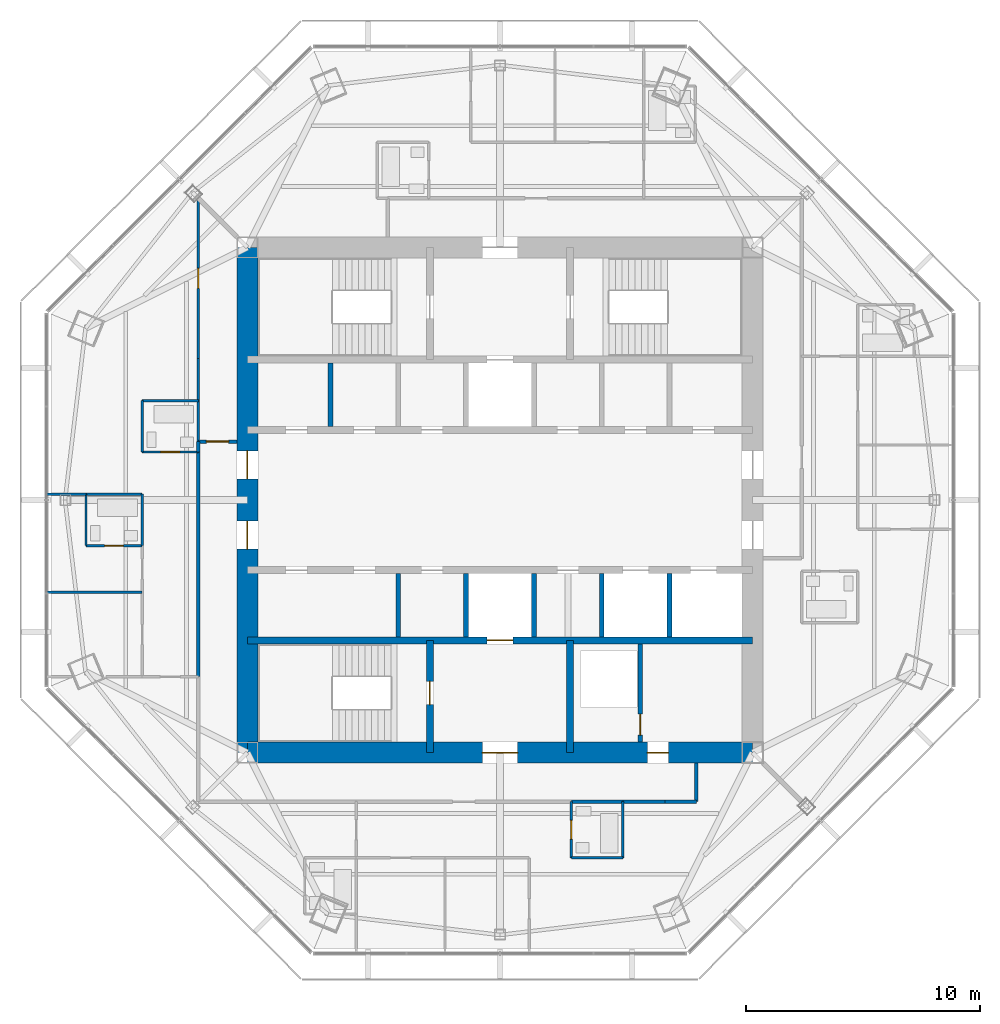
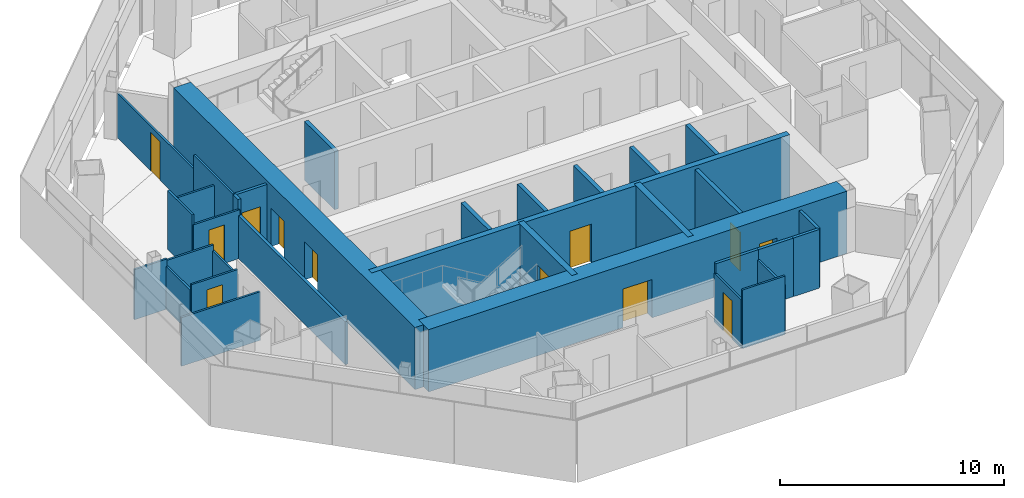
# One storey, part 9 of 15: 33 walls, 12 doors, 12 openings.
"""IFC4 building model written with IfcOpenShell, lengths in metres."""

from ifc_helpers import new_model, si_unit, direction, frame, frame_2d, origin, place, context, subcontext, project, spatial, rectangle, extrude, material, layer, layer_set, type_object, element, fill, save


model = new_model("IFC4")

# Units and contexts
model_context = context("Model", 3, precision=1e-05, world=origin(), true_north=direction((0.0, 1.0)))
body_context = subcontext(model_context, "Body", "Model", "MODEL_VIEW")
ifc_project = project(units=[si_unit("LENGTHUNIT", "METRE"), si_unit("AREAUNIT", "SQUARE_METRE"), si_unit("VOLUMEUNIT", "CUBIC_METRE"), si_unit("PLANEANGLEUNIT", "RADIAN"), si_unit("MASSUNIT", "GRAM", prefix="KILO")], contexts=[model_context])

# Site, building, storey
site_placement = place(None, origin())
site = spatial("IfcSite", under=ifc_project, at=site_placement, CompositionType="ELEMENT")
building_placement = place(site_placement, origin())
building = spatial("IfcBuilding", under=site, at=building_placement, Name="Mashrafa Tower", CompositionType="ELEMENT")
storey_placement = place(building_placement, frame((0.0, 0.0, 304.800048828125)))
storey = spatial("IfcBuildingStorey", under=building, at=storey_placement, Name="L75", CompositionType="ELEMENT", Elevation=304.800048828125)

# Wall, opening, door
ifc_material_1 = material(Name="Concrete masonry unit", Category="masonry")
ifc_layer_1 = layer(ifc_material_1, 0.199951171875)
ifc_layer_set_1 = layer_set([ifc_layer_1], Name="Blockwork wall 200 2 hr")
wall_type_1 = type_object("IfcWallType", Name="Blockwork wall 200 2 hr", PredefinedType="PARTITIONING", material=ifc_layer_set_1)
wall_1_placement = place(storey_placement, frame((6.0, -10.35009765625, 0.0), z_axis=(0.0, 0.0, 1.0), x_axis=(0.0, 1.0, 0.0)))
wall_1 = element("IfcWall", 1, at=wall_1_placement, inside=storey, type_object=wall_type_1, Name="Riser enclosure wall L75", PredefinedType="PARTITIONING", context=body_context, shape_type="SweptSolid", body=[
    extrude(rectangle(XDim=4.2001953125, YDim=0.199951171875, at=frame_2d((2.10009765625, 0.0))), origin(), (0.0, 0.0, 1.0), 3.199951171875),
])
opening_1_placement = place(wall_1_placement, frame((0.300048828125, 0.0, 0.0)))
opening_1 = element("IfcOpeningElement", 2, at=opening_1_placement, cuts=wall_1, Name="Opening 75.036", PredefinedType="OPENING", context=body_context, shape_type="SweptSolid", body=[
    extrude(rectangle(XDim=0.89990234375, YDim=2.10009765625, at=frame_2d((0.449951171875, 1.050048828125))), frame((0.0, 0.10986328125, 0.0), z_axis=(0.0, -1.0, 0.0), x_axis=(1.0, 0.0, 0.0)), (0.0, 0.0, 1.0), 0.219970703125),
])
ifc_material_2 = material(Name="Steel door", Category="steel")
door_type_1 = type_object("IfcDoorType", Name="Service door 900 x 2100 90 min", OperationType="USERDEFINED", PredefinedType="DOOR", material=ifc_material_2)
door_1_placement = place(opening_1_placement, origin())
door_1 = element("IfcDoor", 3, at=door_1_placement, inside=storey, type_object=door_type_1, Name="Riser door L75", OperationType="SINGLE_SWING_LEFT", OverallHeight=2.10009765625, OverallWidth=0.89990234375, PredefinedType="DOOR", context=body_context, shape_type="SweptSolid", body=[
    extrude(rectangle(XDim=0.89990234375, YDim=2.10009765625, at=frame_2d((0.449951171875, 1.050048828125))), frame((0.0, 0.02490234375, 0.0), z_axis=(0.0, -1.0, 0.0), x_axis=(1.0, 0.0, 0.0)), (0.0, 0.0, 1.0), 0.050048828125),
])
fill(opening_1, door_1)

ifc_material_3 = material(Name="Concrete C50/60", Category="concrete")
ifc_layer_2 = layer(ifc_material_3, 0.300048828125)
ifc_layer_set_2 = layer_set([ifc_layer_2], Name="Core wall 300 C50/60")
wall_type_2 = type_object("IfcWallType", Name="Core wall 300 C50/60", PredefinedType="SOLIDWALL", material=ifc_layer_set_2)
wall_2_placement = place(storey_placement, frame((-10.800048828125, -6.0, 0.0), z_axis=(0.0, 0.0, 1.0), x_axis=(1.0, 0.0, 0.0)))
wall_2 = element("IfcWall", 4, at=wall_2_placement, inside=storey, type_object=wall_type_2, Name="Core wall CB-S L75", PredefinedType="SOLIDWALL", context=body_context, shape_type="SweptSolid", body=[
    extrude(rectangle(XDim=21.60009765625, YDim=0.300048828125, at=frame_2d((10.800048828125, 0.0))), origin(), (0.0, 0.0, 1.0), 3.39990234375),
])
opening_2_placement = place(wall_2_placement, frame((10.25, 0.0, 0.0)))
opening_2 = element("IfcOpeningElement", 5, at=opening_2_placement, cuts=wall_2, Name="Opening 75.F2", PredefinedType="OPENING", context=body_context, shape_type="SweptSolid", body=[
    extrude(rectangle(XDim=1.10009765625, YDim=2.10009765625, at=frame_2d((0.550048828125, 1.050048828125))), frame((0.0, 0.159912109375, 0.0), z_axis=(0.0, -1.0, 0.0), x_axis=(1.0, 0.0, 0.0)), (0.0, 0.0, 1.0), 0.320068359375),
])
ifc_material_4 = material(Name="Steel door", Category="steel")
door_type_2 = type_object("IfcDoorType", Name="Lift landing door 1100 x 2100 90 min", OperationType="DOUBLE_DOOR_SLIDING", PredefinedType="DOOR", material=ifc_material_4)
door_2_placement = place(opening_2_placement, origin())
door_2 = element("IfcDoor", 6, at=door_2_placement, inside=storey, type_object=door_type_2, Name="Lift landing door F2 L75", OperationType="DOUBLE_DOOR_SLIDING", OverallHeight=2.10009765625, OverallWidth=1.10009765625, PredefinedType="DOOR", context=body_context, shape_type="SweptSolid", body=[
    extrude(rectangle(XDim=1.10009765625, YDim=2.10009765625, at=frame_2d((0.550048828125, 1.050048828125))), frame((0.0, 0.02490234375, 0.0), z_axis=(0.0, -1.0, 0.0), x_axis=(1.0, 0.0, 0.0)), (0.0, 0.0, 1.0), 0.050048828125),
])
fill(opening_2, door_2)

wall_3_placement = place(storey_placement, frame((-3.0, -6.0, 0.0), z_axis=(0.0, 0.0, 1.0), x_axis=(0.0, -1.0, 0.0)))
wall_3 = element("IfcWall", 7, at=wall_3_placement, inside=storey, type_object=wall_type_2, Name="Core wall CX-SW L75", PredefinedType="SOLIDWALL", context=body_context, shape_type="SweptSolid", body=[
    extrude(rectangle(XDim=4.800048828125, YDim=0.300048828125, at=frame_2d((2.39990234375, 0.0))), origin(), (0.0, 0.0, 1.0), 3.39990234375),
])
opening_3_placement = place(wall_3_placement, frame((1.75, 0.0, 0.0)))
opening_3 = element("IfcOpeningElement", 8, at=opening_3_placement, cuts=wall_3, Name="Opening 75.034", PredefinedType="OPENING", context=body_context, shape_type="SweptSolid", body=[
    extrude(rectangle(XDim=1.0, YDim=2.10009765625, at=frame_2d((0.5, 1.050048828125))), frame((0.0, 0.159912109375, 0.0), z_axis=(0.0, -1.0, 0.0), x_axis=(1.0, 0.0, 0.0)), (0.0, 0.0, 1.0), 0.320068359375),
])
ifc_material_5 = material(Name="Steel door", Category="steel")
door_type_3 = type_object("IfcDoorType", Name="Stair door 1000 x 2100 90 min", OperationType="USERDEFINED", PredefinedType="DOOR", material=ifc_material_5)
door_3_placement = place(opening_3_placement, frame((1.0, 0.0, 0.0), z_axis=(0.0, 0.0, 1.0), x_axis=(-1.0, 0.0, 0.0)))
door_3 = element("IfcDoor", 9, at=door_3_placement, inside=storey, type_object=door_type_3, Name="Stair S3 door L75", OperationType="SINGLE_SWING_RIGHT", OverallHeight=2.10009765625, OverallWidth=1.0, PredefinedType="DOOR", context=body_context, shape_type="SweptSolid", body=[
    extrude(rectangle(XDim=1.0, YDim=2.10009765625, at=frame_2d((0.5, 1.050048828125))), frame((0.0, 0.02490234375, 0.0), z_axis=(0.0, -1.0, 0.0), x_axis=(1.0, 0.0, 0.0)), (0.0, 0.0, 1.0), 0.050048828125),
])
fill(opening_3, door_3)

# Wall
wall_4_placement = place(storey_placement, frame((3.0, -6.0, 0.0), z_axis=(0.0, 0.0, 1.0), x_axis=(0.0, -1.0, 0.0)))
element("IfcWall", 10, at=wall_4_placement, inside=storey, type_object=wall_type_2, Name="Core wall CX-SE L75", PredefinedType="SOLIDWALL", context=body_context, shape_type="SweptSolid", body=[
    extrude(rectangle(XDim=4.800048828125, YDim=0.300048828125, at=frame_2d((2.39990234375, 0.0))), origin(), (0.0, 0.0, 1.0), 3.39990234375),
])

# Wall, openings, doors
ifc_material_6 = material(Name="Concrete C50/60", Category="concrete")
ifc_layer_3 = layer(ifc_material_6, 0.89990234375)
ifc_layer_set_3 = layer_set([ifc_layer_3], Name="Core wall 900 C50/60")
wall_type_3 = type_object("IfcWallType", Name="Core wall 900 C50/60", PredefinedType="SOLIDWALL", material=ifc_layer_set_3)
wall_5_placement = place(storey_placement, frame((-10.800048828125, -10.800048828125, 0.0), z_axis=(0.0, 0.0, 1.0), x_axis=(1.0, 0.0, 0.0)))
wall_5 = element("IfcWall", 11, at=wall_5_placement, inside=storey, type_object=wall_type_3, Name="Core wall CW-S L75", PredefinedType="SOLIDWALL", context=body_context, shape_type="SweptSolid", body=[
    extrude(rectangle(XDim=21.60009765625, YDim=0.89990234375, at=frame_2d((10.800048828125, 0.0))), origin(), (0.0, 0.0, 1.0), 3.39990234375),
])
opening_4_placement = place(wall_5_placement, frame((10.050048828125, 0.0, 0.0)))
opening_4 = element("IfcOpeningElement", 12, at=opening_4_placement, cuts=wall_5, Name="Opening 75.031", PredefinedType="OPENING", context=body_context, shape_type="SweptSolid", body=[
    extrude(rectangle(XDim=1.5, YDim=2.10009765625, at=frame_2d((0.75, 1.050048828125))), frame((0.0, 0.4599609375, 0.0), z_axis=(0.0, -1.0, 0.0), x_axis=(1.0, 0.0, 0.0)), (0.0, 0.0, 1.0), 0.919921875),
])
opening_5_placement = place(wall_5_placement, frame((17.10009765625, 0.0, 0.0)))
opening_5 = element("IfcOpeningElement", 13, at=opening_5_placement, cuts=wall_5, Name="Opening 75.035", PredefinedType="OPENING", context=body_context, shape_type="SweptSolid", body=[
    extrude(rectangle(XDim=0.89990234375, YDim=2.10009765625, at=frame_2d((0.449951171875, 1.050048828125))), frame((0.0, 0.4599609375, 0.0), z_axis=(0.0, -1.0, 0.0), x_axis=(1.0, 0.0, 0.0)), (0.0, 0.0, 1.0), 0.919921875),
])
ifc_material_7 = material(Name="Steel door", Category="steel")
door_type_4 = type_object("IfcDoorType", Name="Lobby door pair 1500 x 2100 90 min", OperationType="DOUBLE_DOOR_SINGLE_SWING", PredefinedType="DOOR", material=ifc_material_7)
door_4_placement = place(opening_4_placement, origin())
door_4 = element("IfcDoor", 14, at=door_4_placement, inside=storey, type_object=door_type_4, Name="Fire-fighting lobby F2 door L75", OperationType="DOUBLE_DOOR_SINGLE_SWING", OverallHeight=2.10009765625, OverallWidth=1.5, PredefinedType="DOOR", context=body_context, shape_type="SweptSolid", body=[
    extrude(rectangle(XDim=1.5, YDim=2.10009765625, at=frame_2d((0.75, 1.050048828125))), frame((0.0, 0.02490234375, 0.0), z_axis=(0.0, -1.0, 0.0), x_axis=(1.0, 0.0, 0.0)), (0.0, 0.0, 1.0), 0.050048828125),
])
fill(opening_4, door_4)
door_5_placement = place(opening_5_placement, origin())
door_5 = element("IfcDoor", 15, at=door_5_placement, inside=storey, type_object=door_type_1, Name="Communications Room L75 door", OperationType="SINGLE_SWING_LEFT", OverallHeight=2.10009765625, OverallWidth=0.89990234375, PredefinedType="DOOR", context=body_context, shape_type="SweptSolid", body=[
    extrude(rectangle(XDim=0.89990234375, YDim=2.10009765625, at=frame_2d((0.449951171875, 1.050048828125))), frame((0.0, 0.02490234375, 0.0), z_axis=(0.0, -1.0, 0.0), x_axis=(1.0, 0.0, 0.0)), (0.0, 0.0, 1.0), 0.050048828125),
])
fill(opening_5, door_5)

wall_6_placement = place(storey_placement, frame((-10.800048828125, 10.800048828125, 0.0), z_axis=(0.0, 0.0, 1.0), x_axis=(0.0, -1.0, 0.0)))
wall_6 = element("IfcWall", 16, at=wall_6_placement, inside=storey, type_object=wall_type_3, Name="Core wall CW-W L75", PredefinedType="SOLIDWALL", context=body_context, shape_type="SweptSolid", body=[
    extrude(rectangle(XDim=21.60009765625, YDim=0.89990234375, at=frame_2d((10.800048828125, 0.0))), origin(), (0.0, 0.0, 1.0), 3.39990234375),
])
opening_6_placement = place(wall_6_placement, frame((8.699951171875, 0.0, 0.0)))
opening_6 = element("IfcOpeningElement", 17, at=opening_6_placement, cuts=wall_6, Name="Opening 75.027", PredefinedType="OPENING", context=body_context, shape_type="SweptSolid", body=[
    extrude(rectangle(XDim=1.199951171875, YDim=2.10009765625, at=frame_2d((0.60009765625, 1.050048828125))), frame((0.0, 0.4599609375, 0.0), z_axis=(0.0, -1.0, 0.0), x_axis=(1.0, 0.0, 0.0)), (0.0, 0.0, 1.0), 0.919921875),
])
opening_7_placement = place(wall_6_placement, frame((11.699951171875, 0.0, 0.0)))
opening_7 = element("IfcOpeningElement", 18, at=opening_7_placement, cuts=wall_6, Name="Opening 75.029", PredefinedType="OPENING", context=body_context, shape_type="SweptSolid", body=[
    extrude(rectangle(XDim=1.199951171875, YDim=2.10009765625, at=frame_2d((0.60009765625, 1.050048828125))), frame((0.0, 0.4599609375, 0.0), z_axis=(0.0, -1.0, 0.0), x_axis=(1.0, 0.0, 0.0)), (0.0, 0.0, 1.0), 0.919921875),
])
ifc_material_8 = material(Name="Steel door", Category="steel")
door_type_5 = type_object("IfcDoorType", Name="Lift hall door 1200 x 2100 90 min", OperationType="USERDEFINED", PredefinedType="DOOR", material=ifc_material_8)
door_6_placement = place(opening_6_placement, origin())
door_6 = element("IfcDoor", 19, at=door_6_placement, inside=storey, type_object=door_type_5, Name="Lift hall door west L75", OperationType="SINGLE_SWING_LEFT", OverallHeight=2.10009765625, OverallWidth=1.199951171875, PredefinedType="DOOR", context=body_context, shape_type="SweptSolid", body=[
    extrude(rectangle(XDim=1.199951171875, YDim=2.10009765625, at=frame_2d((0.60009765625, 1.050048828125))), frame((0.0, 0.02490234375, 0.0), z_axis=(0.0, -1.0, 0.0), x_axis=(1.0, 0.0, 0.0)), (0.0, 0.0, 1.0), 0.050048828125),
])
fill(opening_6, door_6)
door_7_placement = place(opening_7_placement, frame((1.199951171875, 0.0, 0.0), z_axis=(0.0, 0.0, 1.0), x_axis=(-1.0, 0.0, 0.0)))
door_7 = element("IfcDoor", 20, at=door_7_placement, inside=storey, type_object=door_type_5, Name="Lift hall door west L75", OperationType="SINGLE_SWING_RIGHT", OverallHeight=2.10009765625, OverallWidth=1.199951171875, PredefinedType="DOOR", context=body_context, shape_type="SweptSolid", body=[
    extrude(rectangle(XDim=1.199951171875, YDim=2.10009765625, at=frame_2d((0.60009765625, 1.050048828125))), frame((0.0, 0.02490234375, 0.0), z_axis=(0.0, -1.0, 0.0), x_axis=(1.0, 0.0, 0.0)), (0.0, 0.0, 1.0), 0.050048828125),
])
fill(opening_7, door_7)

# Walls
ifc_material_9 = material(Name="Gypsum board on steel studs", Category="steel")
ifc_layer_4 = layer(ifc_material_9, 0.14990234375)
ifc_layer_set_4 = layer_set([ifc_layer_4], Name="Corridor partition 150 1 hr")
wall_type_4 = type_object("IfcWallType", Name="Corridor partition 150 1 hr", PredefinedType="PARTITIONING", material=ifc_layer_set_4)
wall_7_placement = place(storey_placement, frame((-12.89990234375, 2.5, 0.0), z_axis=(0.0, 0.0, 1.0), x_axis=(0.0, -1.0, 0.0)))
element("IfcWall", 21, at=wall_7_placement, inside=storey, type_object=wall_type_4, Name="Corridor wall L75-008", PredefinedType="PARTITIONING", context=body_context, shape_type="SweptSolid", body=[
    extrude(rectangle(XDim=0.450927734375, YDim=0.14990234375, at=frame_2d((0.2255859375, 0.0))), origin(), (0.0, 0.0, 1.0), 3.199951171875),
])
wall_8_placement = place(storey_placement, frame((-12.89990234375, 2.051025390625, 0.0), z_axis=(0.0, 0.0, 1.0), x_axis=(0.0, -1.0, 0.0)))
element("IfcWall", 22, at=wall_8_placement, inside=storey, type_object=wall_type_4, Name="Corridor wall L75-010", PredefinedType="PARTITIONING", context=body_context, shape_type="SweptSolid", body=[
    extrude(rectangle(XDim=9.60205078125, YDim=0.14990234375, at=frame_2d((4.801025390625, 0.0))), origin(), (0.0, 0.0, 1.0), 2.349365234375),
])
wall_9_placement = place(storey_placement, frame((5.2490234375, -12.89990234375, 0.0), z_axis=(0.0, 0.0, 1.0), x_axis=(1.0, 0.0, 0.0)))
element("IfcWall", 23, at=wall_9_placement, inside=storey, type_object=wall_type_4, Name="Corridor wall L75-011", PredefinedType="PARTITIONING", context=body_context, shape_type="SweptSolid", body=[
    extrude(rectangle(XDim=1.802001953125, YDim=0.14990234375, at=frame_2d((0.90087890625, 0.0))), origin(), (0.0, 0.0, 1.0), 3.199951171875),
])
wall_10_placement = place(storey_placement, frame((3.049072265625, -12.89990234375, 0.0), z_axis=(0.0, 0.0, 1.0), x_axis=(1.0, 0.0, 0.0)))
element("IfcWall", 24, at=wall_10_placement, inside=storey, type_object=wall_type_4, Name="Corridor wall L75-012", PredefinedType="PARTITIONING", context=body_context, shape_type="SweptSolid", body=[
    extrude(rectangle(XDim=2.201904296875, YDim=0.14990234375, at=frame_2d((1.10107421875, 0.0))), origin(), (0.0, 0.0, 1.0), 3.199951171875),
])
wall_11_placement = place(storey_placement, frame((7.049072265625, -12.89990234375, 0.0), z_axis=(0.0, 0.0, 1.0), x_axis=(1.0, 0.0, 0.0)))
element("IfcWall", 25, at=wall_11_placement, inside=storey, type_object=wall_type_4, Name="Corridor wall L75-015", PredefinedType="PARTITIONING", context=body_context, shape_type="SweptSolid", body=[
    extrude(rectangle(XDim=1.350830078125, YDim=0.14990234375, at=frame_2d((0.67529296875, 0.0))), origin(), (0.0, 0.0, 1.0), 3.199951171875),
])
wall_12_placement = place(storey_placement, frame((8.39990234375, -12.89990234375, 0.0), z_axis=(0.0, 0.0, 1.0), x_axis=(0.0, 1.0, 0.0)))
element("IfcWall", 26, at=wall_12_placement, inside=storey, type_object=wall_type_4, Name="Corridor wall L75-016", PredefinedType="PARTITIONING", context=body_context, shape_type="SweptSolid", body=[
    extrude(rectangle(XDim=1.64990234375, YDim=0.14990234375, at=frame_2d((0.824951171875, 0.0))), origin(), (0.0, 0.0, 1.0), 3.199951171875),
])

# Wall, opening, door
wall_13_placement = place(storey_placement, frame((-11.25, 2.5, 0.0), z_axis=(0.0, 0.0, 1.0), x_axis=(-1.0, 0.0, 0.0)))
wall_13 = element("IfcWall", 27, at=wall_13_placement, inside=storey, type_object=wall_type_4, Name="Corridor wall L75-017", PredefinedType="PARTITIONING", context=body_context, shape_type="SweptSolid", body=[
    extrude(rectangle(XDim=1.64990234375, YDim=0.14990234375, at=frame_2d((0.824951171875, 0.0))), origin(), (0.0, 0.0, 1.0), 3.199951171875),
])
opening_8_placement = place(wall_13_placement, frame((0.35009765625, 0.0, 0.0)))
opening_8 = element("IfcOpeningElement", 28, at=opening_8_placement, cuts=wall_13, Name="Opening 75.025", PredefinedType="OPENING", context=body_context, shape_type="SweptSolid", body=[
    extrude(rectangle(XDim=0.949951171875, YDim=2.10009765625, at=frame_2d((0.47509765625, 1.050048828125))), frame((0.0, 0.0849609375, 0.0), z_axis=(0.0, -1.0, 0.0), x_axis=(1.0, 0.0, 0.0)), (0.0, 0.0, 1.0), 0.169921875),
])
ifc_material_10 = material(Name="Steel door", Category="steel")
door_type_6 = type_object("IfcDoorType", Name="Residence entrance door 950 x 2100 20 min", OperationType="USERDEFINED", PredefinedType="DOOR", material=ifc_material_10)
door_8_placement = place(opening_8_placement, origin())
door_8 = element("IfcDoor", 29, at=door_8_placement, inside=storey, type_object=door_type_6, Name="Apartment 7503 Entrance Hall door", OperationType="SINGLE_SWING_RIGHT", OverallHeight=2.10009765625, OverallWidth=0.949951171875, PredefinedType="DOOR", context=body_context, shape_type="SweptSolid", body=[
    extrude(rectangle(XDim=0.949951171875, YDim=2.10009765625, at=frame_2d((0.47509765625, 1.050048828125))), frame((0.0, 0.02490234375, 0.0), z_axis=(0.0, -1.0, 0.0), x_axis=(1.0, 0.0, 0.0)), (0.0, 0.0, 1.0), 0.050048828125),
])
fill(opening_8, door_8)

# Walls
ifc_material_11 = material(Name="Gypsum board on steel studs", Category="steel")
ifc_layer_5 = layer(ifc_material_11, 0.10009765625)
ifc_layer_set_5 = layer_set([ifc_layer_5], Name="Partition 100")
wall_type_5 = type_object("IfcWallType", Name="Partition 100", PredefinedType="PARTITIONING", material=ifc_layer_set_5)
wall_14_placement = place(storey_placement, frame((-15.300048828125, 4.25, 0.0), z_axis=(0.0, 0.0, 1.0), x_axis=(1.0, 0.0, 0.0)))
element("IfcWall", 30, at=wall_14_placement, inside=storey, type_object=wall_type_5, Name="Partition wall L75-050", PredefinedType="PARTITIONING", context=body_context, shape_type="SweptSolid", body=[
    extrude(rectangle(XDim=2.400146484375, YDim=0.10009765625, at=frame_2d((1.2001953125, 0.0))), origin(), (0.0, 0.0, 1.0), 2.66162109375),
])
wall_15_placement = place(storey_placement, frame((-12.89990234375, 6.050048828125, 0.0), z_axis=(0.0, 0.0, 1.0), x_axis=(0.0, -1.0, 0.0)))
element("IfcWall", 31, at=wall_15_placement, inside=storey, type_object=wall_type_5, Name="Partition wall L75-051", PredefinedType="PARTITIONING", context=body_context, shape_type="SweptSolid", body=[
    extrude(rectangle(XDim=3.551025390625, YDim=0.10009765625, at=frame_2d((1.775390625, 0.0))), origin(), (0.0, 0.0, 1.0), 3.199951171875),
])
wall_16_placement = place(storey_placement, frame((-15.300048828125, 4.25, 0.0), z_axis=(0.0, 0.0, 1.0), x_axis=(0.0, -1.0, 0.0)))
element("IfcWall", 32, at=wall_16_placement, inside=storey, type_object=wall_type_5, Name="Partition wall L75-052", PredefinedType="PARTITIONING", context=body_context, shape_type="SweptSolid", body=[
    extrude(rectangle(XDim=2.199951171875, YDim=0.10009765625, at=frame_2d((1.10009765625, 0.0))), origin(), (0.0, 0.0, 1.0), 3.199951171875),
])

# Wall, opening, door
wall_17_placement = place(storey_placement, frame((-15.300048828125, 2.050048828125, 0.0), z_axis=(0.0, 0.0, 1.0), x_axis=(1.0, 0.0, 0.0)))
wall_17 = element("IfcWall", 33, at=wall_17_placement, inside=storey, type_object=wall_type_5, Name="Partition wall L75-053", PredefinedType="PARTITIONING", context=body_context, shape_type="SweptSolid", body=[
    extrude(rectangle(XDim=2.400146484375, YDim=0.10009765625, at=frame_2d((1.2001953125, 0.0))), origin(), (0.0, 0.0, 1.0), 2.66162109375),
])
opening_9_placement = place(wall_17_placement, frame((0.800048828125, 0.0, 0.0)))
opening_9 = element("IfcOpeningElement", 34, at=opening_9_placement, cuts=wall_17, Name="Opening 75.013", PredefinedType="OPENING", context=body_context, shape_type="SweptSolid", body=[
    extrude(rectangle(XDim=0.800048828125, YDim=2.10009765625, at=frame_2d((0.39990234375, 1.050048828125))), frame((0.0, 0.06005859375, 0.0), z_axis=(0.0, -1.0, 0.0), x_axis=(1.0, 0.0, 0.0)), (0.0, 0.0, 1.0), 0.1201171875),
])
ifc_material_12 = material(Name="Timber door", Category="wood")
door_type_7 = type_object("IfcDoorType", Name="Bathroom door 800 x 2100", OperationType="USERDEFINED", PredefinedType="DOOR", material=ifc_material_12)
door_9_placement = place(opening_9_placement, origin())
door_9 = element("IfcDoor", 35, at=door_9_placement, inside=storey, type_object=door_type_7, Name="Apartment 7503 Bathroom door", OperationType="SINGLE_SWING_RIGHT", OverallHeight=2.10009765625, OverallWidth=0.800048828125, PredefinedType="DOOR", context=body_context, shape_type="SweptSolid", body=[
    extrude(rectangle(XDim=0.800048828125, YDim=2.10009765625, at=frame_2d((0.39990234375, 1.050048828125))), frame((0.0, 0.02490234375, 0.0), z_axis=(0.0, -1.0, 0.0), x_axis=(1.0, 0.0, 0.0)), (0.0, 0.0, 1.0), 0.050048828125),
])
fill(opening_9, door_9)

# Wall
wall_18_placement = place(storey_placement, frame((-17.699951171875, 0.25, 0.0), z_axis=(0.0, 0.0, 1.0), x_axis=(0.0, -1.0, 0.0)))
element("IfcWall", 36, at=wall_18_placement, inside=storey, type_object=wall_type_5, Name="Partition wall L75-055", PredefinedType="PARTITIONING", context=body_context, shape_type="SweptSolid", body=[
    extrude(rectangle(XDim=2.199951171875, YDim=0.10009765625, at=frame_2d((1.10009765625, 0.0))), origin(), (0.0, 0.0, 1.0), 2.349365234375),
])

# Wall, opening, door
wall_19_placement = place(storey_placement, frame((-17.699951171875, -1.949951171875, 0.0), z_axis=(0.0, 0.0, 1.0), x_axis=(1.0, 0.0, 0.0)))
wall_19 = element("IfcWall", 37, at=wall_19_placement, inside=storey, type_object=wall_type_5, Name="Partition wall L75-056", PredefinedType="PARTITIONING", context=body_context, shape_type="SweptSolid", body=[
    extrude(rectangle(XDim=2.39990234375, YDim=0.10009765625, at=frame_2d((1.199951171875, 0.0))), origin(), (0.0, 0.0, 1.0), 2.66162109375),
])
opening_10_placement = place(wall_19_placement, frame((0.800048828125, 0.0, 0.0)))
opening_10 = element("IfcOpeningElement", 38, at=opening_10_placement, cuts=wall_19, Name="Opening 75.014", PredefinedType="OPENING", context=body_context, shape_type="SweptSolid", body=[
    extrude(rectangle(XDim=0.800048828125, YDim=2.10009765625, at=frame_2d((0.39990234375, 1.050048828125))), frame((0.0, 0.06005859375, 0.0), z_axis=(0.0, -1.0, 0.0), x_axis=(1.0, 0.0, 0.0)), (0.0, 0.0, 1.0), 0.1201171875),
])
door_10_placement = place(opening_10_placement, origin())
door_10 = element("IfcDoor", 39, at=door_10_placement, inside=storey, type_object=door_type_7, Name="Apartment 7503 En-suite Bathroom door", OperationType="SINGLE_SWING_RIGHT", OverallHeight=2.10009765625, OverallWidth=0.800048828125, PredefinedType="DOOR", context=body_context, shape_type="SweptSolid", body=[
    extrude(rectangle(XDim=0.800048828125, YDim=2.10009765625, at=frame_2d((0.39990234375, 1.050048828125))), frame((0.0, 0.02490234375, 0.0), z_axis=(0.0, -1.0, 0.0), x_axis=(1.0, 0.0, 0.0)), (0.0, 0.0, 1.0), 0.050048828125),
])
fill(opening_10, door_10)

# Walls
wall_20_placement = place(storey_placement, frame((-15.300048828125, -1.949951171875, 0.0), z_axis=(0.0, 0.0, 1.0), x_axis=(0.0, 1.0, 0.0)))
element("IfcWall", 40, at=wall_20_placement, inside=storey, type_object=wall_type_5, Name="Partition wall L75-057", PredefinedType="PARTITIONING", context=body_context, shape_type="SweptSolid", body=[
    extrude(rectangle(XDim=2.199951171875, YDim=0.10009765625, at=frame_2d((1.10009765625, 0.0))), origin(), (0.0, 0.0, 1.0), 2.349365234375),
])
wall_21_placement = place(storey_placement, frame((-15.300048828125, 0.25, 0.0), z_axis=(0.0, 0.0, 1.0), x_axis=(-1.0, 0.0, 0.0)))
element("IfcWall", 41, at=wall_21_placement, inside=storey, type_object=wall_type_5, Name="Partition wall L75-058", PredefinedType="PARTITIONING", context=body_context, shape_type="SweptSolid", body=[
    extrude(rectangle(XDim=2.39990234375, YDim=0.10009765625, at=frame_2d((1.199951171875, 0.0))), origin(), (0.0, 0.0, 1.0), 2.66162109375),
])
wall_22_placement = place(storey_placement, frame((-19.37451171875, -3.949951171875, 0.0), z_axis=(0.0, 0.0, 1.0), x_axis=(1.0, 0.0, 0.0)))
element("IfcWall", 42, at=wall_22_placement, inside=storey, type_object=wall_type_5, Name="Partition wall L75-059", PredefinedType="PARTITIONING", context=body_context, shape_type="SweptSolid", body=[
    extrude(rectangle(XDim=4.074462890625, YDim=0.10009765625, at=frame_2d((2.037109375, 0.0))), origin(), (0.0, 0.0, 1.0), 2.66162109375),
])
wall_23_placement = place(storey_placement, frame((-17.699951171875, 0.25, 0.0), z_axis=(0.0, 0.0, 1.0), x_axis=(-1.0, 0.0, 0.0)))
element("IfcWall", 43, at=wall_23_placement, inside=storey, type_object=wall_type_5, Name="Partition wall L75-060", PredefinedType="PARTITIONING", context=body_context, shape_type="SweptSolid", body=[
    extrude(rectangle(XDim=1.674560546875, YDim=0.10009765625, at=frame_2d((0.83740234375, 0.0))), origin(), (0.0, 0.0, 1.0), 2.740234375),
])

# Wall, opening, door
wall_24_placement = place(storey_placement, frame((-12.89990234375, 6.050048828125, 0.0), z_axis=(0.0, 0.0, 1.0), x_axis=(0.0, 1.0, 0.0)))
wall_24 = element("IfcWall", 44, at=wall_24_placement, inside=storey, type_object=wall_type_5, Name="Partition wall L75-066", PredefinedType="PARTITIONING", context=body_context, shape_type="SweptSolid", body=[
    extrude(rectangle(XDim=6.849853515625, YDim=0.10009765625, at=frame_2d((3.4248046875, 0.0))), origin(), (0.0, 0.0, 1.0), 2.435546875),
])
opening_11_placement = place(wall_24_placement, frame((3.0, 0.0, 0.0)))
opening_11 = element("IfcOpeningElement", 45, at=opening_11_placement, cuts=wall_24, Name="Opening 75.018", PredefinedType="OPENING", context=body_context, shape_type="SweptSolid", body=[
    extrude(rectangle(XDim=0.85009765625, YDim=2.10009765625, at=frame_2d((0.425048828125, 1.050048828125))), frame((0.0, 0.06005859375, 0.0), z_axis=(0.0, -1.0, 0.0), x_axis=(1.0, 0.0, 0.0)), (0.0, 0.0, 1.0), 0.1201171875),
])
ifc_material_13 = material(Name="Timber door", Category="wood")
door_type_8 = type_object("IfcDoorType", Name="Bedroom door 850 x 2100", OperationType="USERDEFINED", PredefinedType="DOOR", material=ifc_material_13)
door_11_placement = place(opening_11_placement, origin())
door_11 = element("IfcDoor", 46, at=door_11_placement, inside=storey, type_object=door_type_8, Name="Apartment 7503 Living Room door", OperationType="SINGLE_SWING_RIGHT", OverallHeight=2.10009765625, OverallWidth=0.85009765625, PredefinedType="DOOR", context=body_context, shape_type="SweptSolid", body=[
    extrude(rectangle(XDim=0.85009765625, YDim=2.10009765625, at=frame_2d((0.425048828125, 1.050048828125))), frame((0.0, 0.02490234375, 0.0), z_axis=(0.0, -1.0, 0.0), x_axis=(1.0, 0.0, 0.0)), (0.0, 0.0, 1.0), 0.050048828125),
])
fill(opening_11, door_11)

# Wall
wall_25_placement = place(storey_placement, frame((5.25, -12.89990234375, 0.0), z_axis=(0.0, 0.0, 1.0), x_axis=(0.0, -1.0, 0.0)))
element("IfcWall", 47, at=wall_25_placement, inside=storey, type_object=wall_type_5, Name="Partition wall L75-067", PredefinedType="PARTITIONING", context=body_context, shape_type="SweptSolid", body=[
    extrude(rectangle(XDim=2.400146484375, YDim=0.10009765625, at=frame_2d((1.2001953125, 0.0))), origin(), (0.0, 0.0, 1.0), 2.66162109375),
])

# Wall, opening, door
wall_26_placement = place(storey_placement, frame((3.050048828125, -12.89990234375, 0.0), z_axis=(0.0, 0.0, 1.0), x_axis=(0.0, -1.0, 0.0)))
wall_26 = element("IfcWall", 48, at=wall_26_placement, inside=storey, type_object=wall_type_5, Name="Partition wall L75-068", PredefinedType="PARTITIONING", context=body_context, shape_type="SweptSolid", body=[
    extrude(rectangle(XDim=2.400146484375, YDim=0.10009765625, at=frame_2d((1.2001953125, 0.0))), origin(), (0.0, 0.0, 1.0), 2.66162109375),
])
opening_12_placement = place(wall_26_placement, frame((0.800048828125, 0.0, 0.0)))
opening_12 = element("IfcOpeningElement", 49, at=opening_12_placement, cuts=wall_26, Name="Opening 75.019", PredefinedType="OPENING", context=body_context, shape_type="SweptSolid", body=[
    extrude(rectangle(XDim=0.800048828125, YDim=2.10009765625, at=frame_2d((0.39990234375, 1.050048828125))), frame((0.0, 0.06005859375, 0.0), z_axis=(0.0, -1.0, 0.0), x_axis=(1.0, 0.0, 0.0)), (0.0, 0.0, 1.0), 0.1201171875),
])
door_12_placement = place(opening_12_placement, origin())
door_12 = element("IfcDoor", 50, at=door_12_placement, inside=storey, type_object=door_type_7, Name="Apartment 7504 Bathroom door", OperationType="SINGLE_SWING_LEFT", OverallHeight=2.10009765625, OverallWidth=0.800048828125, PredefinedType="DOOR", context=body_context, shape_type="SweptSolid", body=[
    extrude(rectangle(XDim=0.800048828125, YDim=2.10009765625, at=frame_2d((0.39990234375, 1.050048828125))), frame((0.0, 0.02490234375, 0.0), z_axis=(0.0, -1.0, 0.0), x_axis=(1.0, 0.0, 0.0)), (0.0, 0.0, 1.0), 0.050048828125),
])
fill(opening_12, door_12)

# Walls
wall_27_placement = place(storey_placement, frame((3.050048828125, -15.300048828125, 0.0), z_axis=(0.0, 0.0, 1.0), x_axis=(1.0, 0.0, 0.0)))
element("IfcWall", 51, at=wall_27_placement, inside=storey, type_object=wall_type_5, Name="Partition wall L75-069", PredefinedType="PARTITIONING", context=body_context, shape_type="SweptSolid", body=[
    extrude(rectangle(XDim=2.199951171875, YDim=0.10009765625, at=frame_2d((1.10009765625, 0.0))), origin(), (0.0, 0.0, 1.0), 3.199951171875),
])
ifc_material_14 = material(Name="Gypsum shaft wall on steel studs", Category="steel")
ifc_layer_6 = layer(ifc_material_14, 0.199951171875)
ifc_layer_set_6 = layer_set([ifc_layer_6], Name="Shaft divider wall 200 2 hr")
wall_type_6 = type_object("IfcWallType", Name="Shaft divider wall 200 2 hr", PredefinedType="PARTITIONING", material=ifc_layer_set_6)
for number, where, z_axis, x_axis, name in (
    (52, (-7.25, 3.14990234375, 0.0), (0.0, 0.0, 1.0), (0.0, 1.0, 0.0), "Shaft divider wall N1 L75"),
    (53, (-4.35009765625, -5.85009765625, 0.0), (0.0, 0.0, 1.0), (0.0, 1.0, 0.0), "Shaft divider wall S2 L75"),
    (54, (-1.449951171875, -5.85009765625, 0.0), (0.0, 0.0, 1.0), (0.0, 1.0, 0.0), "Shaft divider wall S3 L75"),
    (55, (1.449951171875, -5.85009765625, 0.0), (0.0, 0.0, 1.0), (0.0, 1.0, 0.0), "Shaft divider wall S4 L75"),
    (56, (4.35009765625, -5.85009765625, 0.0), (0.0, 0.0, 1.0), (0.0, 1.0, 0.0), "Shaft divider wall S5 L75"),
):
    element("IfcWall", number, at=place(storey_placement, frame(where, z_axis=z_axis, x_axis=x_axis)), inside=storey, type_object=wall_type_6, Name=name, PredefinedType="PARTITIONING", context=body_context, shape_type="SweptSolid", body=[
        extrude(rectangle(XDim=2.7001953125, YDim=0.199951171875, at=frame_2d((1.35009765625, 0.0))), origin(), (0.0, 0.0, 1.0), 3.199951171875),
    ])
wall_28_placement = place(storey_placement, frame((7.25, -5.85009765625, 0.0), z_axis=(0.0, 0.0, 1.0), x_axis=(0.0, 1.0, 0.0)))
element("IfcWall", 57, at=wall_28_placement, inside=storey, type_object=wall_type_6, Name="Shaft divider wall S6 L75", PredefinedType="PARTITIONING", context=body_context, shape_type="SweptSolid", body=[
    extrude(rectangle(XDim=2.7001953125, YDim=0.199951171875, at=frame_2d((1.35009765625, 0.0))), origin(), (0.0, 0.0, 1.0), 3.39990234375),
])

save(model, "model.ifc")
